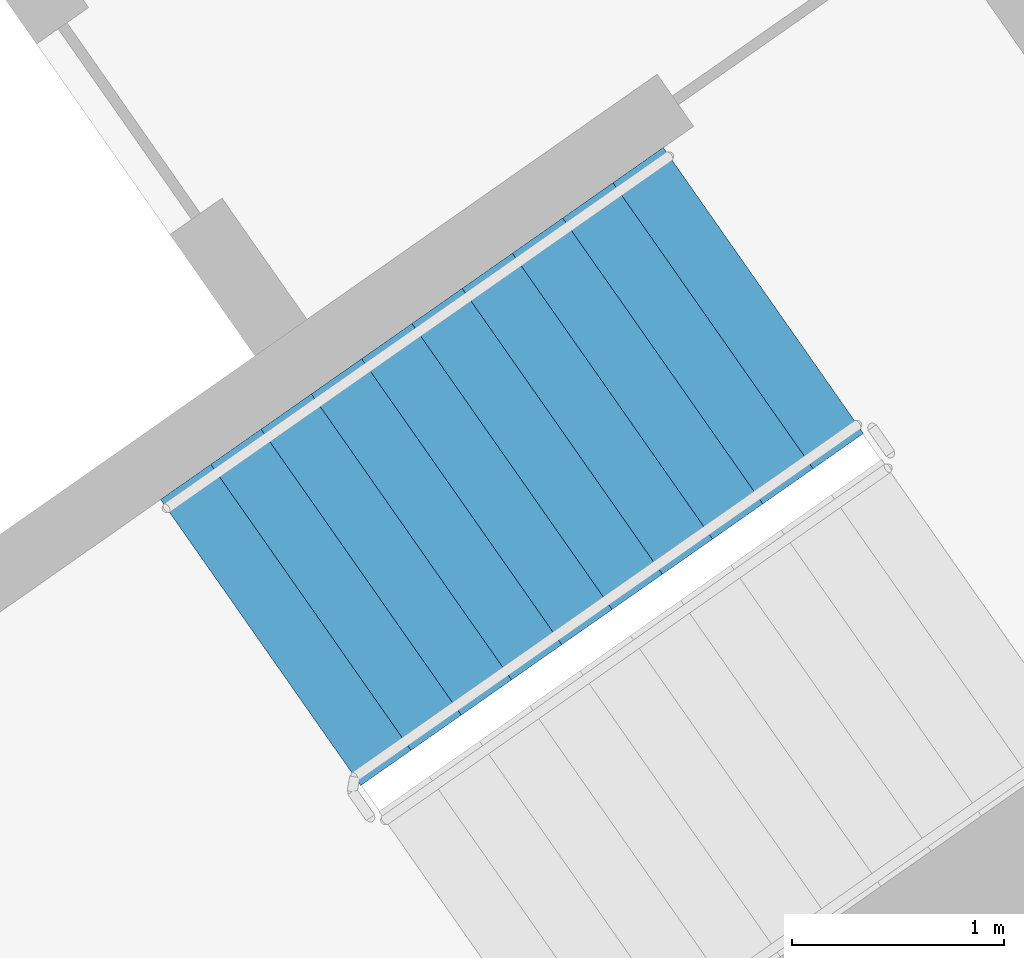
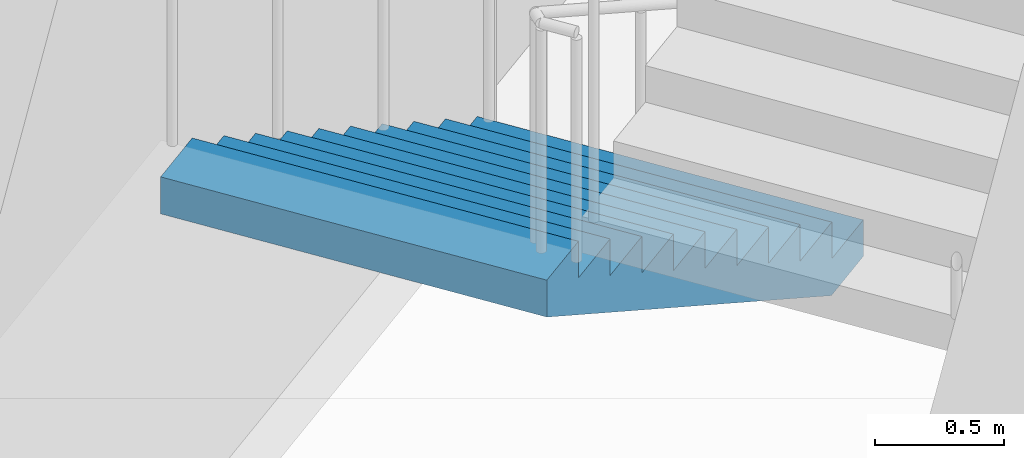
# One storey, part 16 of 31: 1 stair flight, 1 element without a shape of its own.
"""IFC4 building model written with IfcOpenShell, lengths in metres."""

from ifc_helpers import new_model, si_unit, direction, frame, origin, place, context, subcontext, project, spatial, faceted_brep, material, type_object, element, aggregate, save


model = new_model("IFC4")

# Units and contexts
model_context = context("Model", 3, precision=1e-05, world=origin(), true_north=direction((0.0, 1.0)))
body_context = subcontext(model_context, "Body", "Model", "MODEL_VIEW")
ifc_project = project(units=[si_unit("LENGTHUNIT", "METRE"), si_unit("AREAUNIT", "SQUARE_METRE"), si_unit("VOLUMEUNIT", "CUBIC_METRE"), si_unit("PLANEANGLEUNIT", "RADIAN"), si_unit("MASSUNIT", "GRAM", prefix="KILO")], contexts=[model_context])

# Site, building, storey
site_placement = place(None, origin())
site = spatial("IfcSite", under=ifc_project, at=site_placement, CompositionType="ELEMENT")
building_placement = place(site_placement, origin())
building = spatial("IfcBuilding", under=site, at=building_placement, Name="Qamariyya Broadcast Tower", CompositionType="ELEMENT")
storey_placement = place(building_placement, frame((0.0, 0.0, 48.10009765625)))
storey = spatial("IfcBuildingStorey", under=building, at=storey_placement, Name="L08", CompositionType="ELEMENT", Elevation=48.10009765625)

# Stair, stair flight
ifc_material = material(Name="Concrete C50/60", Category="concrete")
stair_type = type_object("IfcStairType", Name="Exit stair 22 risers of 173 mm", PredefinedType="HALF_TURN_STAIR", material=ifc_material)
stair_placement = place(storey_placement, origin())
stair = element("IfcStair", 1, at=stair_placement, inside=storey, type_object=stair_type, Name="L08 Stair E1", PredefinedType="HALF_TURN_STAIR")
stair_flight_type = type_object("IfcStairFlightType", Name="Exit stair flight 11 risers of 173 mm", PredefinedType="STRAIGHT", material=ifc_material)
stair_flight_placement = place(storey_placement, frame((46.036376953125, -55.508056640625, 0.0), z_axis=(0.0, 0.0, 1.0), x_axis=(-0.819152044289, -0.573576436351, 0.0)))
stair_flight = element("IfcStairFlight", 2, at=stair_flight_placement, type_object=stair_flight_type, Name="ST-E1 flight 1", NumberOfRisers=11, NumberOfTreads=10, PredefinedType="STRAIGHT", RiserHeight=0.172727273, TreadLength=0.29, context=body_context, shape_type="Brep", body=[
    faceted_brep([(0.0, 0.824951171875, 0.0), (0.0, 0.824951171875, 0.172607421875), (0.2900390625, 0.824951171875, 0.172607421875), (0.2900390625, 0.824951171875, 0.345458984375), (0.580078125, 0.824951171875, 0.345458984375), (0.580078125, 0.824951171875, 0.51806640625), (0.8701171875, 0.824951171875, 0.51806640625), (0.8701171875, 0.824951171875, 0.69091796875), (1.159912109375, 0.824951171875, 0.69091796875), (1.159912109375, 0.824951171875, 0.863525390625), (1.449951171875, 0.824951171875, 0.863525390625), (1.449951171875, 0.824951171875, 1.036376953125), (1.739990234375, 0.824951171875, 1.036376953125), (1.739990234375, 0.824951171875, 1.208984375), (2.030029296875, 0.824951171875, 1.208984375), (2.030029296875, 0.824951171875, 1.3818359375), (2.320068359375, 0.824951171875, 1.3818359375), (2.320068359375, 0.824951171875, 1.554443359375), (2.610107421875, 0.824951171875, 1.554443359375), (2.610107421875, 0.824951171875, 1.727294921875), (2.89990234375, 0.824951171875, 1.727294921875), (2.89990234375, 0.824951171875, 1.552734375), (0.29296875, 0.824951171875, 0.0), (0.29296875, -0.824951171875, 0.0), (2.89990234375, -0.824951171875, 1.552734375), (2.89990234375, -0.824951171875, 1.727294921875), (2.610107421875, -0.824951171875, 1.727294921875), (2.610107421875, -0.824951171875, 1.554443359375), (2.320068359375, -0.824951171875, 1.554443359375), (2.320068359375, -0.824951171875, 1.3818359375), (2.030029296875, -0.824951171875, 1.3818359375), (2.030029296875, -0.824951171875, 1.208984375), (1.739990234375, -0.824951171875, 1.208984375), (1.739990234375, -0.824951171875, 1.036376953125), (1.449951171875, -0.824951171875, 1.036376953125), (1.449951171875, -0.824951171875, 0.863525390625), (1.159912109375, -0.824951171875, 0.863525390625), (1.159912109375, -0.824951171875, 0.69091796875), (0.8701171875, -0.824951171875, 0.69091796875), (0.8701171875, -0.824951171875, 0.51806640625), (0.580078125, -0.824951171875, 0.51806640625), (0.580078125, -0.824951171875, 0.345458984375), (0.2900390625, -0.824951171875, 0.345458984375), (0.2900390625, -0.824951171875, 0.172607421875), (0.0, -0.824951171875, 0.172607421875), (0.0, -0.824951171875, 0.0), (0.0, 0.10009765625, 0.0), (0.0, 0.086669921875, 0.0), (0.0, 0.0732421875, 0.0), (0.0, 0.06005859375, 0.0), (0.0, 0.046630859375, 0.0), (0.0, 0.033447265625, 0.0), (0.0, 0.02001953125, 0.0), (0.0, 0.006591796875, 0.0), (0.0, -0.006591796875, 0.0), (0.0, -0.02001953125, 0.0), (0.0, -0.033447265625, 0.0), (0.0, -0.046630859375, 0.0), (0.0, -0.06005859375, 0.0), (0.0, -0.0732421875, 0.0), (0.0, -0.086669921875, 0.0), (0.0, -0.10009765625, 0.0), (0.0, -0.10009765625, 0.172607421875), (0.0, -0.086669921875, 0.172607421875), (0.0, -0.0732421875, 0.172607421875), (0.0, -0.06005859375, 0.172607421875), (0.0, -0.046630859375, 0.172607421875), (0.0, -0.033447265625, 0.172607421875), (0.0, -0.02001953125, 0.172607421875), (0.0, -0.006591796875, 0.172607421875), (0.0, 0.006591796875, 0.172607421875), (0.0, 0.02001953125, 0.172607421875), (0.0, 0.033447265625, 0.172607421875), (0.0, 0.046630859375, 0.172607421875), (0.0, 0.06005859375, 0.172607421875), (0.0, 0.0732421875, 0.172607421875), (0.0, 0.086669921875, 0.172607421875), (0.0, 0.10009765625, 0.172607421875), (0.2900390625, -0.10009765625, 0.172607421875), (0.2900390625, -0.086669921875, 0.172607421875), (0.2900390625, -0.0732421875, 0.172607421875), (0.2900390625, -0.06005859375, 0.172607421875), (0.2900390625, -0.046630859375, 0.172607421875), (0.2900390625, -0.033447265625, 0.172607421875), (0.2900390625, -0.02001953125, 0.172607421875), (0.2900390625, -0.006591796875, 0.172607421875), (0.2900390625, 0.006591796875, 0.172607421875), (0.2900390625, 0.02001953125, 0.172607421875), (0.2900390625, 0.033447265625, 0.172607421875), (0.2900390625, 0.046630859375, 0.172607421875), (0.2900390625, 0.06005859375, 0.172607421875), (0.2900390625, 0.0732421875, 0.172607421875), (0.2900390625, 0.086669921875, 0.172607421875), (0.2900390625, 0.10009765625, 0.172607421875), (0.2900390625, -0.10009765625, 0.345458984375), (0.2900390625, -0.086669921875, 0.345458984375), (0.2900390625, -0.0732421875, 0.345458984375), (0.2900390625, -0.06005859375, 0.345458984375), (0.2900390625, -0.046630859375, 0.345458984375), (0.2900390625, -0.033447265625, 0.345458984375), (0.2900390625, -0.02001953125, 0.345458984375), (0.2900390625, -0.006591796875, 0.345458984375), (0.2900390625, 0.006591796875, 0.345458984375), (0.2900390625, 0.02001953125, 0.345458984375), (0.2900390625, 0.033447265625, 0.345458984375), (0.2900390625, 0.046630859375, 0.345458984375), (0.2900390625, 0.06005859375, 0.345458984375), (0.2900390625, 0.0732421875, 0.345458984375), (0.2900390625, 0.086669921875, 0.345458984375), (0.2900390625, 0.10009765625, 0.345458984375), (0.580078125, -0.10009765625, 0.345458984375), (0.580078125, -0.086669921875, 0.345458984375), (0.580078125, -0.0732421875, 0.345458984375), (0.580078125, -0.06005859375, 0.345458984375), (0.580078125, -0.046630859375, 0.345458984375), (0.580078125, -0.033447265625, 0.345458984375), (0.580078125, -0.02001953125, 0.345458984375), (0.580078125, -0.006591796875, 0.345458984375), (0.580078125, 0.006591796875, 0.345458984375), (0.580078125, 0.02001953125, 0.345458984375), (0.580078125, 0.033447265625, 0.345458984375), (0.580078125, 0.046630859375, 0.345458984375), (0.580078125, 0.06005859375, 0.345458984375), (0.580078125, 0.0732421875, 0.345458984375), (0.580078125, 0.086669921875, 0.345458984375), (0.580078125, 0.10009765625, 0.345458984375), (0.580078125, -0.10009765625, 0.51806640625), (0.580078125, -0.086669921875, 0.51806640625), (0.580078125, -0.0732421875, 0.51806640625), (0.580078125, -0.06005859375, 0.51806640625), (0.580078125, -0.046630859375, 0.51806640625), (0.580078125, -0.033447265625, 0.51806640625), (0.580078125, -0.02001953125, 0.51806640625), (0.580078125, -0.006591796875, 0.51806640625), (0.580078125, 0.006591796875, 0.51806640625), (0.580078125, 0.02001953125, 0.51806640625), (0.580078125, 0.033447265625, 0.51806640625), (0.580078125, 0.046630859375, 0.51806640625), (0.580078125, 0.06005859375, 0.51806640625), (0.580078125, 0.0732421875, 0.51806640625), (0.580078125, 0.086669921875, 0.51806640625), (0.580078125, 0.10009765625, 0.51806640625), (0.8701171875, -0.10009765625, 0.51806640625), (0.8701171875, -0.086669921875, 0.51806640625), (0.8701171875, -0.0732421875, 0.51806640625), (0.8701171875, -0.06005859375, 0.51806640625), (0.8701171875, -0.046630859375, 0.51806640625), (0.8701171875, -0.033447265625, 0.51806640625), (0.8701171875, -0.02001953125, 0.51806640625), (0.8701171875, -0.006591796875, 0.51806640625), (0.8701171875, 0.006591796875, 0.51806640625), (0.8701171875, 0.02001953125, 0.51806640625), (0.8701171875, 0.033447265625, 0.51806640625), (0.8701171875, 0.046630859375, 0.51806640625), (0.8701171875, 0.06005859375, 0.51806640625), (0.8701171875, 0.0732421875, 0.51806640625), (0.8701171875, 0.086669921875, 0.51806640625), (0.8701171875, 0.10009765625, 0.51806640625), (0.8701171875, -0.10009765625, 0.69091796875), (0.8701171875, -0.086669921875, 0.69091796875), (0.8701171875, -0.0732421875, 0.69091796875), (0.8701171875, -0.06005859375, 0.69091796875), (0.8701171875, -0.046630859375, 0.69091796875), (0.8701171875, -0.033447265625, 0.69091796875), (0.8701171875, -0.02001953125, 0.69091796875), (0.8701171875, -0.006591796875, 0.69091796875), (0.8701171875, 0.006591796875, 0.69091796875), (0.8701171875, 0.02001953125, 0.69091796875), (0.8701171875, 0.033447265625, 0.69091796875), (0.8701171875, 0.046630859375, 0.69091796875), (0.8701171875, 0.06005859375, 0.69091796875), (0.8701171875, 0.0732421875, 0.69091796875), (0.8701171875, 0.086669921875, 0.69091796875), (0.8701171875, 0.10009765625, 0.69091796875), (1.159912109375, -0.10009765625, 0.69091796875), (1.159912109375, -0.086669921875, 0.69091796875), (1.159912109375, -0.0732421875, 0.69091796875), (1.159912109375, -0.06005859375, 0.69091796875), (1.159912109375, -0.046630859375, 0.69091796875), (1.159912109375, -0.033447265625, 0.69091796875), (1.159912109375, -0.02001953125, 0.69091796875), (1.159912109375, -0.006591796875, 0.69091796875), (1.159912109375, 0.006591796875, 0.69091796875), (1.159912109375, 0.02001953125, 0.69091796875), (1.159912109375, 0.033447265625, 0.69091796875), (1.159912109375, 0.046630859375, 0.69091796875), (1.159912109375, 0.06005859375, 0.69091796875), (1.159912109375, 0.0732421875, 0.69091796875), (1.159912109375, 0.086669921875, 0.69091796875), (1.159912109375, 0.10009765625, 0.69091796875), (1.159912109375, -0.10009765625, 0.863525390625), (1.159912109375, -0.086669921875, 0.863525390625), (1.159912109375, -0.0732421875, 0.863525390625), (1.159912109375, -0.06005859375, 0.863525390625), (1.159912109375, -0.046630859375, 0.863525390625), (1.159912109375, -0.033447265625, 0.863525390625), (1.159912109375, -0.02001953125, 0.863525390625), (1.159912109375, -0.006591796875, 0.863525390625), (1.159912109375, 0.006591796875, 0.863525390625), (1.159912109375, 0.02001953125, 0.863525390625), (1.159912109375, 0.033447265625, 0.863525390625), (1.159912109375, 0.046630859375, 0.863525390625), (1.159912109375, 0.06005859375, 0.863525390625), (1.159912109375, 0.0732421875, 0.863525390625), (1.159912109375, 0.086669921875, 0.863525390625), (1.159912109375, 0.10009765625, 0.863525390625), (1.449951171875, -0.10009765625, 0.863525390625), (1.449951171875, -0.086669921875, 0.863525390625), (1.449951171875, -0.0732421875, 0.863525390625), (1.449951171875, -0.06005859375, 0.863525390625), (1.449951171875, -0.046630859375, 0.863525390625), (1.449951171875, -0.033447265625, 0.863525390625), (1.449951171875, -0.02001953125, 0.863525390625), (1.449951171875, -0.006591796875, 0.863525390625), (1.449951171875, 0.006591796875, 0.863525390625), (1.449951171875, 0.02001953125, 0.863525390625), (1.449951171875, 0.033447265625, 0.863525390625), (1.449951171875, 0.046630859375, 0.863525390625), (1.449951171875, 0.06005859375, 0.863525390625), (1.449951171875, 0.0732421875, 0.863525390625), (1.449951171875, 0.086669921875, 0.863525390625), (1.449951171875, 0.10009765625, 0.863525390625), (1.449951171875, -0.10009765625, 1.036376953125), (1.449951171875, -0.086669921875, 1.036376953125), (1.449951171875, -0.0732421875, 1.036376953125), (1.449951171875, -0.06005859375, 1.036376953125), (1.449951171875, -0.046630859375, 1.036376953125), (1.449951171875, -0.033447265625, 1.036376953125), (1.449951171875, -0.02001953125, 1.036376953125), (1.449951171875, -0.006591796875, 1.036376953125), (1.449951171875, 0.006591796875, 1.036376953125), (1.449951171875, 0.02001953125, 1.036376953125), (1.449951171875, 0.033447265625, 1.036376953125), (1.449951171875, 0.046630859375, 1.036376953125), (1.449951171875, 0.06005859375, 1.036376953125), (1.449951171875, 0.0732421875, 1.036376953125), (1.449951171875, 0.086669921875, 1.036376953125), (1.449951171875, 0.10009765625, 1.036376953125), (1.739990234375, -0.10009765625, 1.036376953125), (1.739990234375, -0.086669921875, 1.036376953125), (1.739990234375, -0.0732421875, 1.036376953125), (1.739990234375, -0.06005859375, 1.036376953125), (1.739990234375, -0.046630859375, 1.036376953125), (1.739990234375, -0.033447265625, 1.036376953125), (1.739990234375, -0.02001953125, 1.036376953125), (1.739990234375, -0.006591796875, 1.036376953125), (1.739990234375, 0.006591796875, 1.036376953125), (1.739990234375, 0.02001953125, 1.036376953125), (1.739990234375, 0.033447265625, 1.036376953125), (1.739990234375, 0.046630859375, 1.036376953125), (1.739990234375, 0.06005859375, 1.036376953125), (1.739990234375, 0.0732421875, 1.036376953125), (1.739990234375, 0.086669921875, 1.036376953125), (1.739990234375, 0.10009765625, 1.036376953125), (1.739990234375, -0.10009765625, 1.208984375), (1.739990234375, -0.086669921875, 1.208984375), (1.739990234375, -0.0732421875, 1.208984375), (1.739990234375, -0.06005859375, 1.208984375), (1.739990234375, -0.046630859375, 1.208984375), (1.739990234375, -0.033447265625, 1.208984375), (1.739990234375, -0.02001953125, 1.208984375), (1.739990234375, -0.006591796875, 1.208984375), (1.739990234375, 0.006591796875, 1.208984375), (1.739990234375, 0.02001953125, 1.208984375), (1.739990234375, 0.033447265625, 1.208984375), (1.739990234375, 0.046630859375, 1.208984375), (1.739990234375, 0.06005859375, 1.208984375), (1.739990234375, 0.0732421875, 1.208984375), (1.739990234375, 0.086669921875, 1.208984375), (1.739990234375, 0.10009765625, 1.208984375), (2.030029296875, -0.10009765625, 1.208984375), (2.030029296875, -0.086669921875, 1.208984375), (2.030029296875, -0.0732421875, 1.208984375), (2.030029296875, -0.06005859375, 1.208984375), (2.030029296875, -0.046630859375, 1.208984375), (2.030029296875, -0.033447265625, 1.208984375), (2.030029296875, -0.02001953125, 1.208984375), (2.030029296875, -0.006591796875, 1.208984375), (2.030029296875, 0.006591796875, 1.208984375), (2.030029296875, 0.02001953125, 1.208984375), (2.030029296875, 0.033447265625, 1.208984375), (2.030029296875, 0.046630859375, 1.208984375), (2.030029296875, 0.06005859375, 1.208984375), (2.030029296875, 0.0732421875, 1.208984375), (2.030029296875, 0.086669921875, 1.208984375), (2.030029296875, 0.10009765625, 1.208984375), (2.030029296875, -0.10009765625, 1.3818359375), (2.030029296875, -0.086669921875, 1.3818359375), (2.030029296875, -0.0732421875, 1.3818359375), (2.030029296875, -0.06005859375, 1.3818359375), (2.030029296875, -0.046630859375, 1.3818359375), (2.030029296875, -0.033447265625, 1.3818359375), (2.030029296875, -0.02001953125, 1.3818359375), (2.030029296875, -0.006591796875, 1.3818359375), (2.030029296875, 0.006591796875, 1.3818359375), (2.030029296875, 0.02001953125, 1.3818359375), (2.030029296875, 0.033447265625, 1.3818359375), (2.030029296875, 0.046630859375, 1.3818359375), (2.030029296875, 0.06005859375, 1.3818359375), (2.030029296875, 0.0732421875, 1.3818359375), (2.030029296875, 0.086669921875, 1.3818359375), (2.030029296875, 0.10009765625, 1.3818359375), (2.320068359375, -0.10009765625, 1.3818359375), (2.320068359375, -0.086669921875, 1.3818359375), (2.320068359375, -0.0732421875, 1.3818359375), (2.320068359375, -0.06005859375, 1.3818359375), (2.320068359375, -0.046630859375, 1.3818359375), (2.320068359375, -0.033447265625, 1.3818359375), (2.320068359375, -0.02001953125, 1.3818359375), (2.320068359375, -0.006591796875, 1.3818359375), (2.320068359375, 0.006591796875, 1.3818359375), (2.320068359375, 0.02001953125, 1.3818359375), (2.320068359375, 0.033447265625, 1.3818359375), (2.320068359375, 0.046630859375, 1.3818359375), (2.320068359375, 0.06005859375, 1.3818359375), (2.320068359375, 0.0732421875, 1.3818359375), (2.320068359375, 0.086669921875, 1.3818359375), (2.320068359375, 0.10009765625, 1.3818359375), (2.320068359375, -0.10009765625, 1.554443359375), (2.320068359375, -0.086669921875, 1.554443359375), (2.320068359375, -0.0732421875, 1.554443359375), (2.320068359375, -0.06005859375, 1.554443359375), (2.320068359375, -0.046630859375, 1.554443359375), (2.320068359375, -0.033447265625, 1.554443359375), (2.320068359375, -0.02001953125, 1.554443359375), (2.320068359375, -0.006591796875, 1.554443359375), (2.320068359375, 0.006591796875, 1.554443359375), (2.320068359375, 0.02001953125, 1.554443359375), (2.320068359375, 0.033447265625, 1.554443359375), (2.320068359375, 0.046630859375, 1.554443359375), (2.320068359375, 0.06005859375, 1.554443359375), (2.320068359375, 0.0732421875, 1.554443359375), (2.320068359375, 0.086669921875, 1.554443359375), (2.320068359375, 0.10009765625, 1.554443359375), (2.610107421875, -0.10009765625, 1.554443359375), (2.610107421875, -0.086669921875, 1.554443359375), (2.610107421875, -0.0732421875, 1.554443359375), (2.610107421875, -0.06005859375, 1.554443359375), (2.610107421875, -0.046630859375, 1.554443359375), (2.610107421875, -0.033447265625, 1.554443359375), (2.610107421875, -0.02001953125, 1.554443359375), (2.610107421875, -0.006591796875, 1.554443359375), (2.610107421875, 0.006591796875, 1.554443359375), (2.610107421875, 0.02001953125, 1.554443359375), (2.610107421875, 0.033447265625, 1.554443359375), (2.610107421875, 0.046630859375, 1.554443359375), (2.610107421875, 0.06005859375, 1.554443359375), (2.610107421875, 0.0732421875, 1.554443359375), (2.610107421875, 0.086669921875, 1.554443359375), (2.610107421875, 0.10009765625, 1.554443359375), (2.610107421875, -0.10009765625, 1.727294921875), (2.610107421875, -0.086669921875, 1.727294921875), (2.610107421875, -0.0732421875, 1.727294921875), (2.610107421875, -0.06005859375, 1.727294921875), (2.610107421875, -0.046630859375, 1.727294921875), (2.610107421875, -0.033447265625, 1.727294921875), (2.610107421875, -0.02001953125, 1.727294921875), (2.610107421875, -0.006591796875, 1.727294921875), (2.610107421875, 0.006591796875, 1.727294921875), (2.610107421875, 0.02001953125, 1.727294921875), (2.610107421875, 0.033447265625, 1.727294921875), (2.610107421875, 0.046630859375, 1.727294921875), (2.610107421875, 0.06005859375, 1.727294921875), (2.610107421875, 0.0732421875, 1.727294921875), (2.610107421875, 0.086669921875, 1.727294921875), (2.610107421875, 0.10009765625, 1.727294921875), (2.89990234375, -0.10009765625, 1.727294921875), (2.89990234375, -0.086669921875, 1.727294921875), (2.89990234375, -0.0732421875, 1.727294921875), (2.89990234375, -0.06005859375, 1.727294921875), (2.89990234375, -0.046630859375, 1.727294921875), (2.89990234375, -0.033447265625, 1.727294921875), (2.89990234375, -0.02001953125, 1.727294921875), (2.89990234375, -0.006591796875, 1.727294921875), (2.89990234375, 0.006591796875, 1.727294921875), (2.89990234375, 0.02001953125, 1.727294921875), (2.89990234375, 0.033447265625, 1.727294921875), (2.89990234375, 0.046630859375, 1.727294921875), (2.89990234375, 0.06005859375, 1.727294921875), (2.89990234375, 0.0732421875, 1.727294921875), (2.89990234375, 0.086669921875, 1.727294921875), (2.89990234375, 0.10009765625, 1.727294921875), (2.89990234375, -0.10009765625, 1.552734375), (2.89990234375, -0.086669921875, 1.552734375), (2.89990234375, -0.0732421875, 1.552734375), (2.89990234375, -0.06005859375, 1.552734375), (2.89990234375, -0.046630859375, 1.552734375), (2.89990234375, -0.033447265625, 1.552734375), (2.89990234375, -0.02001953125, 1.552734375), (2.89990234375, -0.006591796875, 1.552734375), (2.89990234375, 0.006591796875, 1.552734375), (2.89990234375, 0.02001953125, 1.552734375), (2.89990234375, 0.033447265625, 1.552734375), (2.89990234375, 0.046630859375, 1.552734375), (2.89990234375, 0.06005859375, 1.552734375), (2.89990234375, 0.0732421875, 1.552734375), (2.89990234375, 0.086669921875, 1.552734375), (2.89990234375, 0.10009765625, 1.552734375), (0.29296875, -0.10009765625, 0.0), (0.29296875, -0.086669921875, 0.0), (0.29296875, -0.0732421875, 0.0), (0.29296875, -0.06005859375, 0.0), (0.29296875, -0.046630859375, 0.0), (0.29296875, -0.033447265625, 0.0), (0.29296875, -0.02001953125, 0.0), (0.29296875, -0.006591796875, 0.0), (0.29296875, 0.006591796875, 0.0), (0.29296875, 0.02001953125, 0.0), (0.29296875, 0.033447265625, 0.0), (0.29296875, 0.046630859375, 0.0), (0.29296875, 0.06005859375, 0.0), (0.29296875, 0.0732421875, 0.0), (0.29296875, 0.086669921875, 0.0), (0.29296875, 0.10009765625, 0.0)], [[[0, 1, 2, 3, 4, 5, 6, 7, 8, 9, 10, 11, 12, 13, 14, 15, 16, 17, 18, 19, 20, 21, 22]], [[23, 24, 25, 26, 27, 28, 29, 30, 31, 32, 33, 34, 35, 36, 37, 38, 39, 40, 41, 42, 43, 44, 45]], [[0, 46, 47, 48, 49, 50, 51, 52, 53, 54, 55, 56, 57, 58, 59, 60, 61, 45, 44, 62, 63, 64, 65, 66, 67, 68, 69, 70, 71, 72, 73, 74, 75, 76, 77, 1]], [[1, 77, 76, 75, 74, 73, 72, 71, 70, 69, 68, 67, 66, 65, 64, 63, 62, 44, 43, 78, 79, 80, 81, 82, 83, 84, 85, 86, 87, 88, 89, 90, 91, 92, 93, 2]], [[2, 93, 92, 91, 90, 89, 88, 87, 86, 85, 84, 83, 82, 81, 80, 79, 78, 43, 42, 94, 95, 96, 97, 98, 99, 100, 101, 102, 103, 104, 105, 106, 107, 108, 109, 3]], [[3, 109, 108, 107, 106, 105, 104, 103, 102, 101, 100, 99, 98, 97, 96, 95, 94, 42, 41, 110, 111, 112, 113, 114, 115, 116, 117, 118, 119, 120, 121, 122, 123, 124, 125, 4]], [[4, 125, 124, 123, 122, 121, 120, 119, 118, 117, 116, 115, 114, 113, 112, 111, 110, 41, 40, 126, 127, 128, 129, 130, 131, 132, 133, 134, 135, 136, 137, 138, 139, 140, 141, 5]], [[5, 141, 140, 139, 138, 137, 136, 135, 134, 133, 132, 131, 130, 129, 128, 127, 126, 40, 39, 142, 143, 144, 145, 146, 147, 148, 149, 150, 151, 152, 153, 154, 155, 156, 157, 6]], [[6, 157, 156, 155, 154, 153, 152, 151, 150, 149, 148, 147, 146, 145, 144, 143, 142, 39, 38, 158, 159, 160, 161, 162, 163, 164, 165, 166, 167, 168, 169, 170, 171, 172, 173, 7]], [[7, 173, 172, 171, 170, 169, 168, 167, 166, 165, 164, 163, 162, 161, 160, 159, 158, 38, 37, 174, 175, 176, 177, 178, 179, 180, 181, 182, 183, 184, 185, 186, 187, 188, 189, 8]], [[8, 189, 188, 187, 186, 185, 184, 183, 182, 181, 180, 179, 178, 177, 176, 175, 174, 37, 36, 190, 191, 192, 193, 194, 195, 196, 197, 198, 199, 200, 201, 202, 203, 204, 205, 9]], [[9, 205, 204, 203, 202, 201, 200, 199, 198, 197, 196, 195, 194, 193, 192, 191, 190, 36, 35, 206, 207, 208, 209, 210, 211, 212, 213, 214, 215, 216, 217, 218, 219, 220, 221, 10]], [[10, 221, 220, 219, 218, 217, 216, 215, 214, 213, 212, 211, 210, 209, 208, 207, 206, 35, 34, 222, 223, 224, 225, 226, 227, 228, 229, 230, 231, 232, 233, 234, 235, 236, 237, 11]], [[11, 237, 236, 235, 234, 233, 232, 231, 230, 229, 228, 227, 226, 225, 224, 223, 222, 34, 33, 238, 239, 240, 241, 242, 243, 244, 245, 246, 247, 248, 249, 250, 251, 252, 253, 12]], [[12, 253, 252, 251, 250, 249, 248, 247, 246, 245, 244, 243, 242, 241, 240, 239, 238, 33, 32, 254, 255, 256, 257, 258, 259, 260, 261, 262, 263, 264, 265, 266, 267, 268, 269, 13]], [[13, 269, 268, 267, 266, 265, 264, 263, 262, 261, 260, 259, 258, 257, 256, 255, 254, 32, 31, 270, 271, 272, 273, 274, 275, 276, 277, 278, 279, 280, 281, 282, 283, 284, 285, 14]], [[14, 285, 284, 283, 282, 281, 280, 279, 278, 277, 276, 275, 274, 273, 272, 271, 270, 31, 30, 286, 287, 288, 289, 290, 291, 292, 293, 294, 295, 296, 297, 298, 299, 300, 301, 15]], [[15, 301, 300, 299, 298, 297, 296, 295, 294, 293, 292, 291, 290, 289, 288, 287, 286, 30, 29, 302, 303, 304, 305, 306, 307, 308, 309, 310, 311, 312, 313, 314, 315, 316, 317, 16]], [[16, 317, 316, 315, 314, 313, 312, 311, 310, 309, 308, 307, 306, 305, 304, 303, 302, 29, 28, 318, 319, 320, 321, 322, 323, 324, 325, 326, 327, 328, 329, 330, 331, 332, 333, 17]], [[17, 333, 332, 331, 330, 329, 328, 327, 326, 325, 324, 323, 322, 321, 320, 319, 318, 28, 27, 334, 335, 336, 337, 338, 339, 340, 341, 342, 343, 344, 345, 346, 347, 348, 349, 18]], [[18, 349, 348, 347, 346, 345, 344, 343, 342, 341, 340, 339, 338, 337, 336, 335, 334, 27, 26, 350, 351, 352, 353, 354, 355, 356, 357, 358, 359, 360, 361, 362, 363, 364, 365, 19]], [[19, 365, 364, 363, 362, 361, 360, 359, 358, 357, 356, 355, 354, 353, 352, 351, 350, 26, 25, 366, 367, 368, 369, 370, 371, 372, 373, 374, 375, 376, 377, 378, 379, 380, 381, 20]], [[20, 381, 380, 379, 378, 377, 376, 375, 374, 373, 372, 371, 370, 369, 368, 367, 366, 25, 24, 382, 383, 384, 385, 386, 387, 388, 389, 390, 391, 392, 393, 394, 395, 396, 397, 21]], [[21, 397, 396, 395, 394, 393, 392, 391, 390, 389, 388, 387, 386, 385, 384, 383, 382, 24, 23, 398, 399, 400, 401, 402, 403, 404, 405, 406, 407, 408, 409, 410, 411, 412, 413, 22]], [[22, 413, 412, 411, 410, 409, 408, 407, 406, 405, 404, 403, 402, 401, 400, 399, 398, 23, 45, 61, 60, 59, 58, 57, 56, 55, 54, 53, 52, 51, 50, 49, 48, 47, 46, 0]]]),
])
aggregate(stair, [stair_flight])

save(model, "model.ifc")
